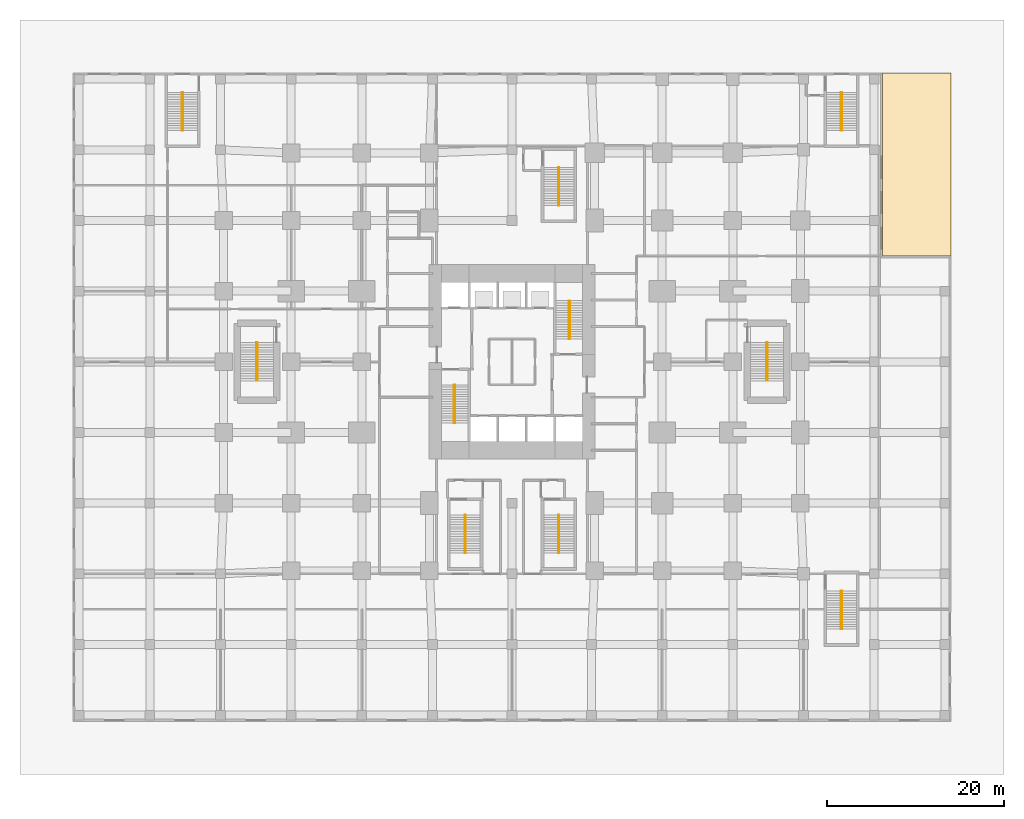
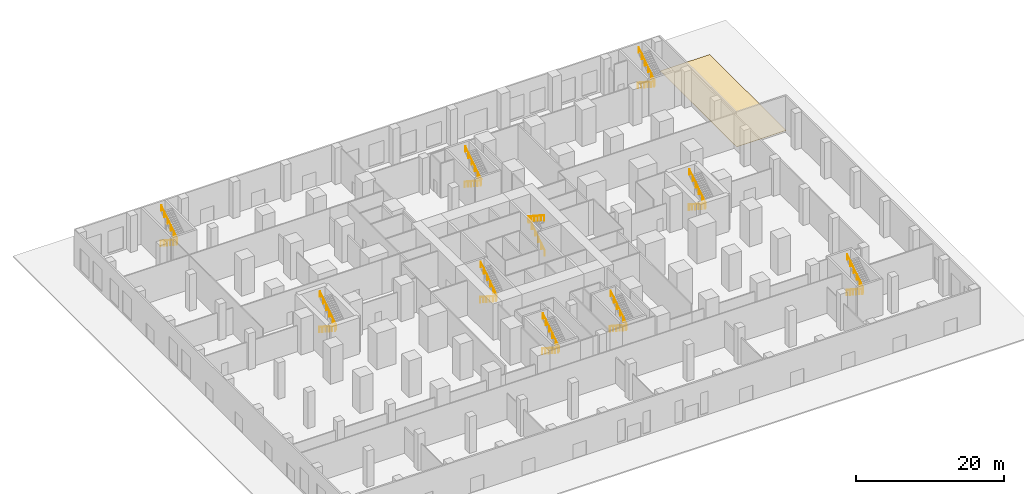
# One storey, part 15 of 16: 20 railings, 2 coverings.
"""IFC4 building model written with IfcOpenShell, lengths in metres."""

from ifc_helpers import new_model, si_unit, direction, frame, origin, origin_2d, place, context, subcontext, project, spatial, polyline, circle, outline, extrude, material, layer, layer_set, type_object, element, save


model = new_model("IFC4")

# Units and contexts
model_context = context("Model", 3, precision=1e-05, world=origin(), true_north=direction((0.0, 1.0)))
body_context = subcontext(model_context, "Body", "Model", "MODEL_VIEW")
ifc_project = project(units=[si_unit("LENGTHUNIT", "METRE"), si_unit("AREAUNIT", "SQUARE_METRE"), si_unit("VOLUMEUNIT", "CUBIC_METRE"), si_unit("PLANEANGLEUNIT", "RADIAN"), si_unit("MASSUNIT", "GRAM", prefix="KILO")], contexts=[model_context])

# Site, building, storey
site_placement = place(None, origin())
site = spatial("IfcSite", under=ifc_project, at=site_placement, CompositionType="ELEMENT")
building_placement = place(site_placement, origin())
building = spatial("IfcBuilding", under=site, at=building_placement, Name="Cleftline Residences", CompositionType="ELEMENT")
storey_placement = place(building_placement, origin())
storey = spatial("IfcBuildingStorey", under=building, at=storey_placement, Name="L00", CompositionType="ELEMENT", Elevation=0.0)

# Railings
ifc_material_1 = material(Name="Stainless steel", Category="steel")
railing_type = type_object("IfcRailingType", Name="HANDRAIL 900", PredefinedType="HANDRAIL", material=ifc_material_1)
railing_1_placement = place(storey_placement, frame((26.449951171875, 21.39990234375, 0.176513671875)))
element("IfcRailing", 1, at=railing_1_placement, inside=storey, type_object=railing_type, Name="Stair handrail", PredefinedType="HANDRAIL", context=body_context, shape_type="SweptSolid", body=[
    extrude(circle(Radius=0.02392578125, at=origin_2d()), frame((0.0, 0.0, 0.8759765625), z_axis=(0.0, -0.837059609537, 0.547111697994), x_axis=(1.0, 0.0, 0.0)), (0.0, 0.0, 1.0), 5.16064453125),
    extrude(circle(Radius=0.02099609375, at=origin_2d()), origin(), (0.0, 0.0, 1.0), 0.851806640625),
    extrude(circle(Radius=0.02099609375, at=origin_2d()), frame((0.0, -0.864013671875, 0.564697265625)), (0.0, 0.0, 1.0), 0.851806640625),
    extrude(circle(Radius=0.02099609375, at=origin_2d()), frame((0.0, -1.72802734375, 1.12939453125)), (0.0, 0.0, 1.0), 0.851806640625),
    extrude(circle(Radius=0.02099609375, at=origin_2d()), frame((0.0, -2.591796875, 1.694091796875)), (0.0, 0.0, 1.0), 0.851806640625),
    extrude(circle(Radius=0.02099609375, at=origin_2d()), frame((0.0, -3.455810546875, 2.2587890625)), (0.0, 0.0, 1.0), 0.851806640625),
    extrude(circle(Radius=0.02099609375, at=origin_2d()), frame((0.0, -4.31982421875, 2.823486328125)), (0.0, 0.0, 1.0), 0.851806640625),
])
for number, where, name in (
    (2, (26.550048828125, 17.080078125, 3.176513671875), "Stair handrail"),
    (3, (39.550048828125, 26.60009765625, 0.176513671875), "Stair handrail"),
):
    element("IfcRailing", number, at=place(storey_placement, frame(where)), inside=storey, type_object=railing_type, Name=name, PredefinedType="HANDRAIL", context=body_context, shape_type="SweptSolid", body=[
        extrude(circle(Radius=0.02392578125, at=origin_2d()), frame((0.0, 0.0, 0.8759765625), z_axis=(0.0, 0.837059609537, 0.547111697994), x_axis=(-1.0, 0.0, 0.0)), (0.0, 0.0, 1.0), 5.16064453125),
        extrude(circle(Radius=0.02099609375, at=origin_2d()), origin(), (0.0, 0.0, 1.0), 0.851806640625),
        extrude(circle(Radius=0.02099609375, at=origin_2d()), frame((0.0, 0.864013671875, 0.564697265625)), (0.0, 0.0, 1.0), 0.851806640625),
        extrude(circle(Radius=0.02099609375, at=origin_2d()), frame((0.0, 1.72802734375, 1.12939453125)), (0.0, 0.0, 1.0), 0.851806640625),
        extrude(circle(Radius=0.02099609375, at=origin_2d()), frame((0.0, 2.591796875, 1.694091796875)), (0.0, 0.0, 1.0), 0.851806640625),
        extrude(circle(Radius=0.02099609375, at=origin_2d()), frame((0.0, 3.455810546875, 2.2587890625)), (0.0, 0.0, 1.0), 0.851806640625),
        extrude(circle(Radius=0.02099609375, at=origin_2d()), frame((0.0, 4.31982421875, 2.823486328125)), (0.0, 0.0, 1.0), 0.851806640625),
    ])
for number, where, name in (
    (4, (39.449951171875, 30.919921875, 3.176513671875), "Stair handrail"),
    (5, (27.64990234375, 6.669921875, 0.176513671875), "Stair handrail"),
):
    element("IfcRailing", number, at=place(storey_placement, frame(where)), inside=storey, type_object=railing_type, Name=name, PredefinedType="HANDRAIL", context=body_context, shape_type="SweptSolid", body=[
        extrude(circle(Radius=0.02392578125, at=origin_2d()), frame((0.0, 0.0, 0.8759765625), z_axis=(0.0, -0.837059609537, 0.547111697994), x_axis=(1.0, 0.0, 0.0)), (0.0, 0.0, 1.0), 5.16064453125),
        extrude(circle(Radius=0.02099609375, at=origin_2d()), origin(), (0.0, 0.0, 1.0), 0.851806640625),
        extrude(circle(Radius=0.02099609375, at=origin_2d()), frame((0.0, -0.864013671875, 0.564697265625)), (0.0, 0.0, 1.0), 0.851806640625),
        extrude(circle(Radius=0.02099609375, at=origin_2d()), frame((0.0, -1.72802734375, 1.12939453125)), (0.0, 0.0, 1.0), 0.851806640625),
        extrude(circle(Radius=0.02099609375, at=origin_2d()), frame((0.0, -2.591796875, 1.694091796875)), (0.0, 0.0, 1.0), 0.851806640625),
        extrude(circle(Radius=0.02099609375, at=origin_2d()), frame((0.0, -3.455810546875, 2.2587890625)), (0.0, 0.0, 1.0), 0.851806640625),
        extrude(circle(Radius=0.02099609375, at=origin_2d()), frame((0.0, -4.31982421875, 2.823486328125)), (0.0, 0.0, 1.0), 0.851806640625),
    ])
railing_2_placement = place(storey_placement, frame((27.75, 2.35009765625, 3.176513671875)))
element("IfcRailing", 6, at=railing_2_placement, inside=storey, type_object=railing_type, Name="Stair handrail", PredefinedType="HANDRAIL", context=body_context, shape_type="SweptSolid", body=[
    extrude(circle(Radius=0.02392578125, at=origin_2d()), frame((0.0, 0.0, 0.8759765625), z_axis=(0.0, 0.837059609537, 0.547111697994), x_axis=(-1.0, 0.0, 0.0)), (0.0, 0.0, 1.0), 5.16064453125),
    extrude(circle(Radius=0.02099609375, at=origin_2d()), origin(), (0.0, 0.0, 1.0), 0.851806640625),
    extrude(circle(Radius=0.02099609375, at=origin_2d()), frame((0.0, 0.864013671875, 0.564697265625)), (0.0, 0.0, 1.0), 0.851806640625),
    extrude(circle(Radius=0.02099609375, at=origin_2d()), frame((0.0, 1.72802734375, 1.12939453125)), (0.0, 0.0, 1.0), 0.851806640625),
    extrude(circle(Radius=0.02099609375, at=origin_2d()), frame((0.0, 2.591796875, 1.694091796875)), (0.0, 0.0, 1.0), 0.851806640625),
    extrude(circle(Radius=0.02099609375, at=origin_2d()), frame((0.0, 3.455810546875, 2.2587890625)), (0.0, 0.0, 1.0), 0.851806640625),
    extrude(circle(Radius=0.02099609375, at=origin_2d()), frame((0.0, 4.31982421875, 2.823486328125)), (0.0, 0.0, 1.0), 0.851806640625),
])
railing_3_placement = place(storey_placement, frame((38.25, 6.669921875, 0.176513671875)))
element("IfcRailing", 7, at=railing_3_placement, inside=storey, type_object=railing_type, Name="Stair handrail", PredefinedType="HANDRAIL", context=body_context, shape_type="SweptSolid", body=[
    extrude(circle(Radius=0.02392578125, at=origin_2d()), frame((0.0, 0.0, 0.8759765625), z_axis=(0.0, -0.837059609537, 0.547111697994), x_axis=(1.0, 0.0, 0.0)), (0.0, 0.0, 1.0), 5.16064453125),
    extrude(circle(Radius=0.02099609375, at=origin_2d()), origin(), (0.0, 0.0, 1.0), 0.851806640625),
    extrude(circle(Radius=0.02099609375, at=origin_2d()), frame((0.0, -0.864013671875, 0.564697265625)), (0.0, 0.0, 1.0), 0.851806640625),
    extrude(circle(Radius=0.02099609375, at=origin_2d()), frame((0.0, -1.72802734375, 1.12939453125)), (0.0, 0.0, 1.0), 0.851806640625),
    extrude(circle(Radius=0.02099609375, at=origin_2d()), frame((0.0, -2.591796875, 1.694091796875)), (0.0, 0.0, 1.0), 0.851806640625),
    extrude(circle(Radius=0.02099609375, at=origin_2d()), frame((0.0, -3.455810546875, 2.2587890625)), (0.0, 0.0, 1.0), 0.851806640625),
    extrude(circle(Radius=0.02099609375, at=origin_2d()), frame((0.0, -4.31982421875, 2.823486328125)), (0.0, 0.0, 1.0), 0.851806640625),
])
railing_4_placement = place(storey_placement, frame((38.35009765625, 2.35009765625, 3.176513671875)))
element("IfcRailing", 8, at=railing_4_placement, inside=storey, type_object=railing_type, Name="Stair handrail", PredefinedType="HANDRAIL", context=body_context, shape_type="SweptSolid", body=[
    extrude(circle(Radius=0.02392578125, at=origin_2d()), frame((0.0, 0.0, 0.8759765625), z_axis=(0.0, 0.837059609537, 0.547111697994), x_axis=(-1.0, 0.0, 0.0)), (0.0, 0.0, 1.0), 5.16064453125),
    extrude(circle(Radius=0.02099609375, at=origin_2d()), origin(), (0.0, 0.0, 1.0), 0.851806640625),
    extrude(circle(Radius=0.02099609375, at=origin_2d()), frame((0.0, 0.864013671875, 0.564697265625)), (0.0, 0.0, 1.0), 0.851806640625),
    extrude(circle(Radius=0.02099609375, at=origin_2d()), frame((0.0, 1.72802734375, 1.12939453125)), (0.0, 0.0, 1.0), 0.851806640625),
    extrude(circle(Radius=0.02099609375, at=origin_2d()), frame((0.0, 2.591796875, 1.694091796875)), (0.0, 0.0, 1.0), 0.851806640625),
    extrude(circle(Radius=0.02099609375, at=origin_2d()), frame((0.0, 3.455810546875, 2.2587890625)), (0.0, 0.0, 1.0), 0.851806640625),
    extrude(circle(Radius=0.02099609375, at=origin_2d()), frame((0.0, 4.31982421875, 2.823486328125)), (0.0, 0.0, 1.0), 0.851806640625),
])
railing_5_placement = place(storey_placement, frame((38.25, 46.02001953125, 0.176513671875)))
element("IfcRailing", 9, at=railing_5_placement, inside=storey, type_object=railing_type, Name="Stair handrail", PredefinedType="HANDRAIL", context=body_context, shape_type="SweptSolid", body=[
    extrude(circle(Radius=0.02392578125, at=origin_2d()), frame((0.0, 0.0, 0.8759765625), z_axis=(0.0, -0.837073769319, 0.547090033466), x_axis=(1.0, 0.0, 0.0)), (0.0, 0.0, 1.0), 5.160888671875),
    extrude(circle(Radius=0.02099609375, at=origin_2d()), origin(), (0.0, 0.0, 1.0), 0.851806640625),
    extrude(circle(Radius=0.02099609375, at=origin_2d()), frame((0.0, -0.864013671875, 0.564697265625)), (0.0, 0.0, 1.0), 0.851806640625),
    extrude(circle(Radius=0.02099609375, at=origin_2d()), frame((0.0, -1.72802734375, 1.12939453125)), (0.0, 0.0, 1.0), 0.851806640625),
    extrude(circle(Radius=0.02099609375, at=origin_2d()), frame((0.0, -2.592041015625, 1.694091796875)), (0.0, 0.0, 1.0), 0.851806640625),
    extrude(circle(Radius=0.02099609375, at=origin_2d()), frame((0.0, -3.4560546875, 2.2587890625)), (0.0, 0.0, 1.0), 0.851806640625),
    extrude(circle(Radius=0.02099609375, at=origin_2d()), frame((0.0, -4.320068359375, 2.823486328125)), (0.0, 0.0, 1.0), 0.851806640625),
])
railing_6_placement = place(storey_placement, frame((38.35009765625, 41.699951171875, 3.176513671875)))
element("IfcRailing", 10, at=railing_6_placement, inside=storey, type_object=railing_type, Name="Stair handrail", PredefinedType="HANDRAIL", context=body_context, shape_type="SweptSolid", body=[
    extrude(circle(Radius=0.02392578125, at=origin_2d()), frame((0.0, 0.0, 0.8759765625), z_axis=(0.0, 0.837073769319, 0.547090033466), x_axis=(-1.0, 0.0, 0.0)), (0.0, 0.0, 1.0), 5.160888671875),
    extrude(circle(Radius=0.02099609375, at=origin_2d()), origin(), (0.0, 0.0, 1.0), 0.851806640625),
    extrude(circle(Radius=0.02099609375, at=origin_2d()), frame((0.0, 0.864013671875, 0.564697265625)), (0.0, 0.0, 1.0), 0.851806640625),
    extrude(circle(Radius=0.02099609375, at=origin_2d()), frame((0.0, 1.72802734375, 1.12939453125)), (0.0, 0.0, 1.0), 0.851806640625),
    extrude(circle(Radius=0.02099609375, at=origin_2d()), frame((0.0, 2.592041015625, 1.694091796875)), (0.0, 0.0, 1.0), 0.851806640625),
    extrude(circle(Radius=0.02099609375, at=origin_2d()), frame((0.0, 3.4560546875, 2.2587890625)), (0.0, 0.0, 1.0), 0.851806640625),
    extrude(circle(Radius=0.02099609375, at=origin_2d()), frame((0.0, 4.320068359375, 2.823486328125)), (0.0, 0.0, 1.0), 0.851806640625),
])
railing_7_placement = place(storey_placement, frame((61.824951171875, 26.175048828125, 0.176513671875)))
element("IfcRailing", 11, at=railing_7_placement, inside=storey, type_object=railing_type, Name="Stair handrail", PredefinedType="HANDRAIL", context=body_context, shape_type="SweptSolid", body=[
    extrude(circle(Radius=0.02392578125, at=origin_2d()), frame((0.0, 0.0, 0.8759765625), z_axis=(0.0, -0.837073769319, 0.547090033466), x_axis=(1.0, 0.0, 0.0)), (0.0, 0.0, 1.0), 5.160888671875),
    extrude(circle(Radius=0.02099609375, at=origin_2d()), origin(), (0.0, 0.0, 1.0), 0.851806640625),
    extrude(circle(Radius=0.02099609375, at=origin_2d()), frame((0.0, -0.864013671875, 0.564697265625)), (0.0, 0.0, 1.0), 0.851806640625),
    extrude(circle(Radius=0.02099609375, at=origin_2d()), frame((0.0, -1.72802734375, 1.12939453125)), (0.0, 0.0, 1.0), 0.851806640625),
    extrude(circle(Radius=0.02099609375, at=origin_2d()), frame((0.0, -2.592041015625, 1.694091796875)), (0.0, 0.0, 1.0), 0.851806640625),
    extrude(circle(Radius=0.02099609375, at=origin_2d()), frame((0.0, -3.4560546875, 2.2587890625)), (0.0, 0.0, 1.0), 0.851806640625),
    extrude(circle(Radius=0.02099609375, at=origin_2d()), frame((0.0, -4.320068359375, 2.823486328125)), (0.0, 0.0, 1.0), 0.851806640625),
])
railing_8_placement = place(storey_placement, frame((61.925048828125, 21.85498046875, 3.176513671875)))
element("IfcRailing", 12, at=railing_8_placement, inside=storey, type_object=railing_type, Name="Stair handrail", PredefinedType="HANDRAIL", context=body_context, shape_type="SweptSolid", body=[
    extrude(circle(Radius=0.02392578125, at=origin_2d()), frame((0.0, 0.0, 0.8759765625), z_axis=(0.0, 0.837073769319, 0.547090033466), x_axis=(-1.0, 0.0, 0.0)), (0.0, 0.0, 1.0), 5.160888671875),
    extrude(circle(Radius=0.02099609375, at=origin_2d()), origin(), (0.0, 0.0, 1.0), 0.851806640625),
    extrude(circle(Radius=0.02099609375, at=origin_2d()), frame((0.0, 0.864013671875, 0.564697265625)), (0.0, 0.0, 1.0), 0.851806640625),
    extrude(circle(Radius=0.02099609375, at=origin_2d()), frame((0.0, 1.72802734375, 1.12939453125)), (0.0, 0.0, 1.0), 0.851806640625),
    extrude(circle(Radius=0.02099609375, at=origin_2d()), frame((0.0, 2.592041015625, 1.694091796875)), (0.0, 0.0, 1.0), 0.851806640625),
    extrude(circle(Radius=0.02099609375, at=origin_2d()), frame((0.0, 3.4560546875, 2.2587890625)), (0.0, 0.0, 1.0), 0.851806640625),
    extrude(circle(Radius=0.02099609375, at=origin_2d()), frame((0.0, 4.320068359375, 2.823486328125)), (0.0, 0.0, 1.0), 0.851806640625),
])
railing_9_placement = place(storey_placement, frame((70.25, 54.52001953125, 0.176513671875)))
element("IfcRailing", 13, at=railing_9_placement, inside=storey, type_object=railing_type, Name="Stair handrail", PredefinedType="HANDRAIL", context=body_context, shape_type="SweptSolid", body=[
    extrude(circle(Radius=0.02392578125, at=origin_2d()), frame((0.0, 0.0, 0.8759765625), z_axis=(0.0, -0.837073769319, 0.547090033466), x_axis=(1.0, 0.0, 0.0)), (0.0, 0.0, 1.0), 5.160888671875),
    extrude(circle(Radius=0.02099609375, at=origin_2d()), origin(), (0.0, 0.0, 1.0), 0.851806640625),
    extrude(circle(Radius=0.02099609375, at=origin_2d()), frame((0.0, -0.864013671875, 0.564697265625)), (0.0, 0.0, 1.0), 0.851806640625),
    extrude(circle(Radius=0.02099609375, at=origin_2d()), frame((0.0, -1.72802734375, 1.12939453125)), (0.0, 0.0, 1.0), 0.851806640625),
    extrude(circle(Radius=0.02099609375, at=origin_2d()), frame((0.0, -2.592041015625, 1.694091796875)), (0.0, 0.0, 1.0), 0.851806640625),
    extrude(circle(Radius=0.02099609375, at=origin_2d()), frame((0.0, -3.4560546875, 2.2587890625)), (0.0, 0.0, 1.0), 0.851806640625),
    extrude(circle(Radius=0.02099609375, at=origin_2d()), frame((0.0, -4.320068359375, 2.823486328125)), (0.0, 0.0, 1.0), 0.851806640625),
])
railing_10_placement = place(storey_placement, frame((70.35009765625, 50.199951171875, 3.176513671875)))
element("IfcRailing", 14, at=railing_10_placement, inside=storey, type_object=railing_type, Name="Stair handrail", PredefinedType="HANDRAIL", context=body_context, shape_type="SweptSolid", body=[
    extrude(circle(Radius=0.02392578125, at=origin_2d()), frame((0.0, 0.0, 0.8759765625), z_axis=(0.0, 0.837073769319, 0.547090033466), x_axis=(-1.0, 0.0, 0.0)), (0.0, 0.0, 1.0), 5.160888671875),
    extrude(circle(Radius=0.02099609375, at=origin_2d()), origin(), (0.0, 0.0, 1.0), 0.851806640625),
    extrude(circle(Radius=0.02099609375, at=origin_2d()), frame((0.0, 0.864013671875, 0.564697265625)), (0.0, 0.0, 1.0), 0.851806640625),
    extrude(circle(Radius=0.02099609375, at=origin_2d()), frame((0.0, 1.72802734375, 1.12939453125)), (0.0, 0.0, 1.0), 0.851806640625),
    extrude(circle(Radius=0.02099609375, at=origin_2d()), frame((0.0, 2.592041015625, 1.694091796875)), (0.0, 0.0, 1.0), 0.851806640625),
    extrude(circle(Radius=0.02099609375, at=origin_2d()), frame((0.0, 3.4560546875, 2.2587890625)), (0.0, 0.0, 1.0), 0.851806640625),
    extrude(circle(Radius=0.02099609375, at=origin_2d()), frame((0.0, 4.320068359375, 2.823486328125)), (0.0, 0.0, 1.0), 0.851806640625),
])
railing_11_placement = place(storey_placement, frame((70.25, -1.929931640625, 0.176513671875)))
element("IfcRailing", 15, at=railing_11_placement, inside=storey, type_object=railing_type, Name="Stair handrail", PredefinedType="HANDRAIL", context=body_context, shape_type="SweptSolid", body=[
    extrude(circle(Radius=0.02392578125, at=origin_2d()), frame((0.0, 0.0, 0.8759765625), z_axis=(0.0, -0.837073769319, 0.547090033466), x_axis=(1.0, 0.0, 0.0)), (0.0, 0.0, 1.0), 5.160888671875),
    extrude(circle(Radius=0.02099609375, at=origin_2d()), origin(), (0.0, 0.0, 1.0), 0.851806640625),
    extrude(circle(Radius=0.02099609375, at=origin_2d()), frame((0.0, -0.864013671875, 0.564697265625)), (0.0, 0.0, 1.0), 0.851806640625),
    extrude(circle(Radius=0.02099609375, at=origin_2d()), frame((0.0, -1.72802734375, 1.12939453125)), (0.0, 0.0, 1.0), 0.851806640625),
    extrude(circle(Radius=0.02099609375, at=origin_2d()), frame((0.0, -2.592041015625, 1.694091796875)), (0.0, 0.0, 1.0), 0.851806640625),
    extrude(circle(Radius=0.02099609375, at=origin_2d()), frame((0.0, -3.4560546875, 2.2587890625)), (0.0, 0.0, 1.0), 0.851806640625),
    extrude(circle(Radius=0.02099609375, at=origin_2d()), frame((0.0, -4.320068359375, 2.823486328125)), (0.0, 0.0, 1.0), 0.851806640625),
])
railing_12_placement = place(storey_placement, frame((70.35009765625, -6.25, 3.176513671875)))
element("IfcRailing", 16, at=railing_12_placement, inside=storey, type_object=railing_type, Name="Stair handrail", PredefinedType="HANDRAIL", context=body_context, shape_type="SweptSolid", body=[
    extrude(circle(Radius=0.02392578125, at=origin_2d()), frame((0.0, 0.0, 0.8759765625), z_axis=(0.0, 0.837073769319, 0.547090033466), x_axis=(-1.0, 0.0, 0.0)), (0.0, 0.0, 1.0), 5.160888671875),
    extrude(circle(Radius=0.02099609375, at=origin_2d()), origin(), (0.0, 0.0, 1.0), 0.851806640625),
    extrude(circle(Radius=0.02099609375, at=origin_2d()), frame((0.0, 0.864013671875, 0.564697265625)), (0.0, 0.0, 1.0), 0.851806640625),
    extrude(circle(Radius=0.02099609375, at=origin_2d()), frame((0.0, 1.72802734375, 1.12939453125)), (0.0, 0.0, 1.0), 0.851806640625),
    extrude(circle(Radius=0.02099609375, at=origin_2d()), frame((0.0, 2.592041015625, 1.694091796875)), (0.0, 0.0, 1.0), 0.851806640625),
    extrude(circle(Radius=0.02099609375, at=origin_2d()), frame((0.0, 3.4560546875, 2.2587890625)), (0.0, 0.0, 1.0), 0.851806640625),
    extrude(circle(Radius=0.02099609375, at=origin_2d()), frame((0.0, 4.320068359375, 2.823486328125)), (0.0, 0.0, 1.0), 0.851806640625),
])
railing_13_placement = place(storey_placement, frame((-4.35009765625, 54.52001953125, 0.176513671875)))
element("IfcRailing", 17, at=railing_13_placement, inside=storey, type_object=railing_type, Name="Stair handrail", PredefinedType="HANDRAIL", context=body_context, shape_type="SweptSolid", body=[
    extrude(circle(Radius=0.02392578125, at=origin_2d()), frame((0.0, 0.0, 0.8759765625), z_axis=(0.0, -0.837073769319, 0.547090033466), x_axis=(1.0, 0.0, 0.0)), (0.0, 0.0, 1.0), 5.160888671875),
    extrude(circle(Radius=0.02099609375, at=origin_2d()), origin(), (0.0, 0.0, 1.0), 0.851806640625),
    extrude(circle(Radius=0.02099609375, at=origin_2d()), frame((0.0, -0.864013671875, 0.564697265625)), (0.0, 0.0, 1.0), 0.851806640625),
    extrude(circle(Radius=0.02099609375, at=origin_2d()), frame((0.0, -1.72802734375, 1.12939453125)), (0.0, 0.0, 1.0), 0.851806640625),
    extrude(circle(Radius=0.02099609375, at=origin_2d()), frame((0.0, -2.592041015625, 1.694091796875)), (0.0, 0.0, 1.0), 0.851806640625),
    extrude(circle(Radius=0.02099609375, at=origin_2d()), frame((0.0, -3.4560546875, 2.2587890625)), (0.0, 0.0, 1.0), 0.851806640625),
    extrude(circle(Radius=0.02099609375, at=origin_2d()), frame((0.0, -4.320068359375, 2.823486328125)), (0.0, 0.0, 1.0), 0.851806640625),
])
railing_14_placement = place(storey_placement, frame((-4.25, 50.199951171875, 3.176513671875)))
element("IfcRailing", 18, at=railing_14_placement, inside=storey, type_object=railing_type, Name="Stair handrail", PredefinedType="HANDRAIL", context=body_context, shape_type="SweptSolid", body=[
    extrude(circle(Radius=0.02392578125, at=origin_2d()), frame((0.0, 0.0, 0.8759765625), z_axis=(0.0, 0.837073769319, 0.547090033466), x_axis=(-1.0, 0.0, 0.0)), (0.0, 0.0, 1.0), 5.160888671875),
    extrude(circle(Radius=0.02099609375, at=origin_2d()), origin(), (0.0, 0.0, 1.0), 0.851806640625),
    extrude(circle(Radius=0.02099609375, at=origin_2d()), frame((0.0, 0.864013671875, 0.564697265625)), (0.0, 0.0, 1.0), 0.851806640625),
    extrude(circle(Radius=0.02099609375, at=origin_2d()), frame((0.0, 1.72802734375, 1.12939453125)), (0.0, 0.0, 1.0), 0.851806640625),
    extrude(circle(Radius=0.02099609375, at=origin_2d()), frame((0.0, 2.592041015625, 1.694091796875)), (0.0, 0.0, 1.0), 0.851806640625),
    extrude(circle(Radius=0.02099609375, at=origin_2d()), frame((0.0, 3.4560546875, 2.2587890625)), (0.0, 0.0, 1.0), 0.851806640625),
    extrude(circle(Radius=0.02099609375, at=origin_2d()), frame((0.0, 4.320068359375, 2.823486328125)), (0.0, 0.0, 1.0), 0.851806640625),
])
railing_15_placement = place(storey_placement, frame((4.074951171875, 26.175048828125, 0.176513671875)))
element("IfcRailing", 19, at=railing_15_placement, inside=storey, type_object=railing_type, Name="Stair handrail", PredefinedType="HANDRAIL", context=body_context, shape_type="SweptSolid", body=[
    extrude(circle(Radius=0.02392578125, at=origin_2d()), frame((0.0, 0.0, 0.8759765625), z_axis=(0.0, -0.837073769319, 0.547090033466), x_axis=(1.0, 0.0, 0.0)), (0.0, 0.0, 1.0), 5.160888671875),
    extrude(circle(Radius=0.02099609375, at=origin_2d()), origin(), (0.0, 0.0, 1.0), 0.851806640625),
    extrude(circle(Radius=0.02099609375, at=origin_2d()), frame((0.0, -0.864013671875, 0.564697265625)), (0.0, 0.0, 1.0), 0.851806640625),
    extrude(circle(Radius=0.02099609375, at=origin_2d()), frame((0.0, -1.72802734375, 1.12939453125)), (0.0, 0.0, 1.0), 0.851806640625),
    extrude(circle(Radius=0.02099609375, at=origin_2d()), frame((0.0, -2.592041015625, 1.694091796875)), (0.0, 0.0, 1.0), 0.851806640625),
    extrude(circle(Radius=0.02099609375, at=origin_2d()), frame((0.0, -3.4560546875, 2.2587890625)), (0.0, 0.0, 1.0), 0.851806640625),
    extrude(circle(Radius=0.02099609375, at=origin_2d()), frame((0.0, -4.320068359375, 2.823486328125)), (0.0, 0.0, 1.0), 0.851806640625),
])
railing_16_placement = place(storey_placement, frame((4.175048828125, 21.85498046875, 3.176513671875)))
element("IfcRailing", 20, at=railing_16_placement, inside=storey, type_object=railing_type, Name="Stair handrail", PredefinedType="HANDRAIL", context=body_context, shape_type="SweptSolid", body=[
    extrude(circle(Radius=0.02392578125, at=origin_2d()), frame((0.0, 0.0, 0.8759765625), z_axis=(0.0, 0.837073769319, 0.547090033466), x_axis=(-1.0, 0.0, 0.0)), (0.0, 0.0, 1.0), 5.160888671875),
    extrude(circle(Radius=0.02099609375, at=origin_2d()), origin(), (0.0, 0.0, 1.0), 0.851806640625),
    extrude(circle(Radius=0.02099609375, at=origin_2d()), frame((0.0, 0.864013671875, 0.564697265625)), (0.0, 0.0, 1.0), 0.851806640625),
    extrude(circle(Radius=0.02099609375, at=origin_2d()), frame((0.0, 1.72802734375, 1.12939453125)), (0.0, 0.0, 1.0), 0.851806640625),
    extrude(circle(Radius=0.02099609375, at=origin_2d()), frame((0.0, 2.592041015625, 1.694091796875)), (0.0, 0.0, 1.0), 0.851806640625),
    extrude(circle(Radius=0.02099609375, at=origin_2d()), frame((0.0, 3.4560546875, 2.2587890625)), (0.0, 0.0, 1.0), 0.851806640625),
    extrude(circle(Radius=0.02099609375, at=origin_2d()), frame((0.0, 4.320068359375, 2.823486328125)), (0.0, 0.0, 1.0), 0.851806640625),
])

# Coverings
ifc_material_2 = material(Name="Porcelain paving on adhesive bed")
ifc_layer_1 = layer(ifc_material_2, 0.0400390625)
ifc_layer_set_1 = layer_set([ifc_layer_1], Name="TERRACE PAVING 40")
covering_type_1 = type_object("IfcCoveringType", Name="TERRACE PAVING 40", PredefinedType="FLOORING", material=ifc_layer_set_1)
covering_1_placement = place(storey_placement, frame((0.0, 0.0, 0.0048828125)))
element("IfcCovering", 21, at=covering_1_placement, inside=storey, type_object=covering_type_1, Name="Terrace paving L00 1", PredefinedType="FLOORING", context=body_context, shape_type="SweptSolid", body=[
    extrude(outline(polyline([(74.9599609375, 56.699951171875), (74.958984375, 56.699951171875), (74.9580078125, 56.69970703125), (74.95703125, 56.69970703125), (74.956298828125, 56.69921875), (74.955322265625, 56.69873046875), (74.954345703125, 56.6982421875), (74.95361328125, 56.69775390625), (74.952880859375, 56.697021484375), (74.952392578125, 56.6962890625), (74.95166015625, 56.695556640625), (74.951171875, 56.694580078125), (74.95068359375, 56.69384765625), (74.950439453125, 56.69287109375), (74.9501953125, 56.69189453125), (74.949951171875, 56.69091796875), (74.949951171875, 56.68994140625), (74.949951171875, 56.580078125), (74.955078125, 56.580078125), (74.955078125, 36.0048828125), (82.580078125, 36.0048828125), (82.580078125, 36.0), (82.68994140625, 36.0), (82.69091796875, 36.0), (82.69189453125, 36.000244140625), (82.69287109375, 36.00048828125), (82.69384765625, 36.000732421875), (82.694580078125, 36.001220703125), (82.695556640625, 36.001708984375), (82.6962890625, 36.002197265625), (82.697021484375, 36.0029296875), (82.69775390625, 36.003662109375), (82.6982421875, 36.00439453125), (82.69873046875, 36.00537109375), (82.69921875, 36.006103515625), (82.69970703125, 36.007080078125), (82.69970703125, 36.008056640625), (82.699951171875, 36.009033203125), (82.699951171875, 36.010009765625), (82.699951171875, 56.68994140625), (82.699951171875, 56.69091796875), (82.69970703125, 56.69189453125), (82.69970703125, 56.69287109375), (82.69921875, 56.69384765625), (82.69873046875, 56.694580078125), (82.6982421875, 56.695556640625), (82.69775390625, 56.6962890625), (82.697021484375, 56.697021484375), (82.6962890625, 56.69775390625), (82.695556640625, 56.6982421875), (82.694580078125, 56.69873046875), (82.69384765625, 56.69921875), (82.69287109375, 56.69970703125), (82.69189453125, 56.69970703125), (82.69091796875, 56.699951171875), (82.68994140625, 56.699951171875), (74.9599609375, 56.699951171875)])), origin(), (0.0, 0.0, 1.0), 0.0400390625),
])
ifc_material_3 = material(Name="Liquid-applied polyurethane waterproofing")
ifc_layer_2 = layer(ifc_material_3, 0.0048828125)
ifc_layer_set_2 = layer_set([ifc_layer_2], Name="TERRACE WATERPROOFING 5")
covering_type_2 = type_object("IfcCoveringType", Name="TERRACE WATERPROOFING 5", PredefinedType="ROOFING", material=ifc_layer_set_2)
covering_2_placement = place(storey_placement, origin())
element("IfcCovering", 22, at=covering_2_placement, inside=storey, type_object=covering_type_2, Name="Terrace waterproofing L00 1", PredefinedType="ROOFING", context=body_context, shape_type="SweptSolid", body=[
    extrude(outline(polyline([(74.9599609375, 56.699951171875), (74.958984375, 56.699951171875), (74.9580078125, 56.69970703125), (74.95703125, 56.69970703125), (74.956298828125, 56.69921875), (74.955322265625, 56.69873046875), (74.954345703125, 56.6982421875), (74.95361328125, 56.69775390625), (74.952880859375, 56.697021484375), (74.952392578125, 56.6962890625), (74.95166015625, 56.695556640625), (74.951171875, 56.694580078125), (74.95068359375, 56.69384765625), (74.950439453125, 56.69287109375), (74.9501953125, 56.69189453125), (74.949951171875, 56.69091796875), (74.949951171875, 56.68994140625), (74.949951171875, 56.580078125), (74.955078125, 56.580078125), (74.955078125, 36.0048828125), (82.580078125, 36.0048828125), (82.580078125, 36.0), (82.68994140625, 36.0), (82.69091796875, 36.0), (82.69189453125, 36.000244140625), (82.69287109375, 36.00048828125), (82.69384765625, 36.000732421875), (82.694580078125, 36.001220703125), (82.695556640625, 36.001708984375), (82.6962890625, 36.002197265625), (82.697021484375, 36.0029296875), (82.69775390625, 36.003662109375), (82.6982421875, 36.00439453125), (82.69873046875, 36.00537109375), (82.69921875, 36.006103515625), (82.69970703125, 36.007080078125), (82.69970703125, 36.008056640625), (82.699951171875, 36.009033203125), (82.699951171875, 36.010009765625), (82.699951171875, 56.68994140625), (82.699951171875, 56.69091796875), (82.69970703125, 56.69189453125), (82.69970703125, 56.69287109375), (82.69921875, 56.69384765625), (82.69873046875, 56.694580078125), (82.6982421875, 56.695556640625), (82.69775390625, 56.6962890625), (82.697021484375, 56.697021484375), (82.6962890625, 56.69775390625), (82.695556640625, 56.6982421875), (82.694580078125, 56.69873046875), (82.69384765625, 56.69921875), (82.69287109375, 56.69970703125), (82.69189453125, 56.69970703125), (82.69091796875, 56.699951171875), (82.68994140625, 56.699951171875), (74.9599609375, 56.699951171875)])), origin(), (0.0, 0.0, 1.0), 0.0048828125),
])

save(model, "model.ifc")
